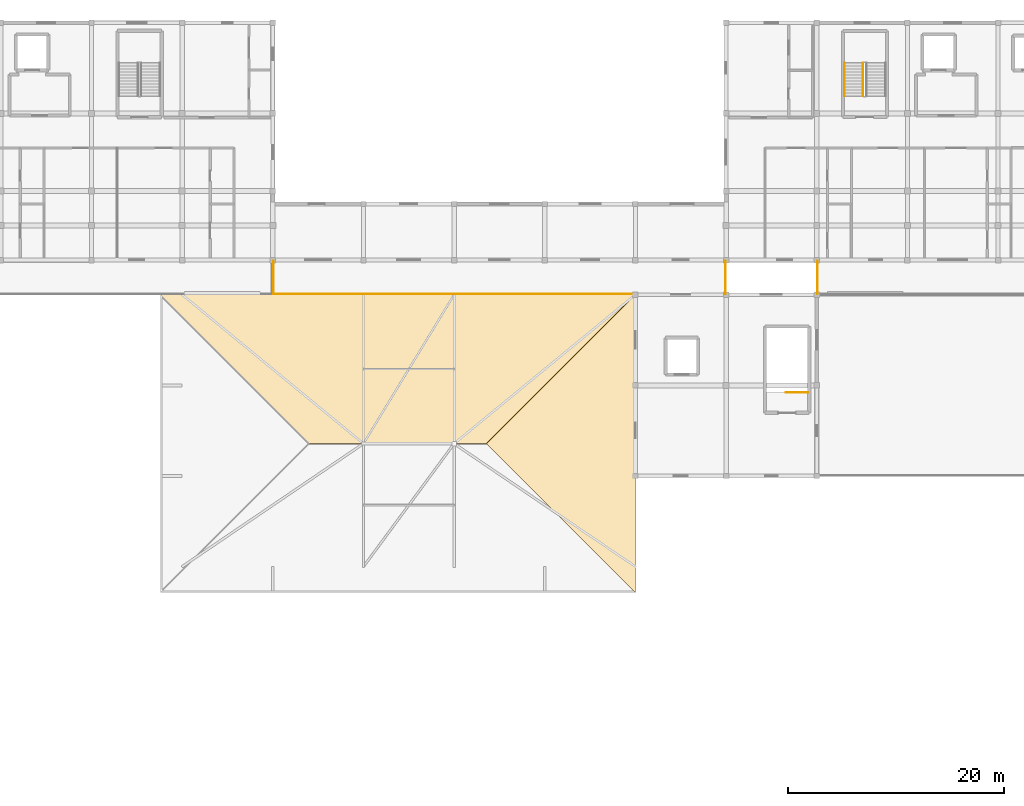
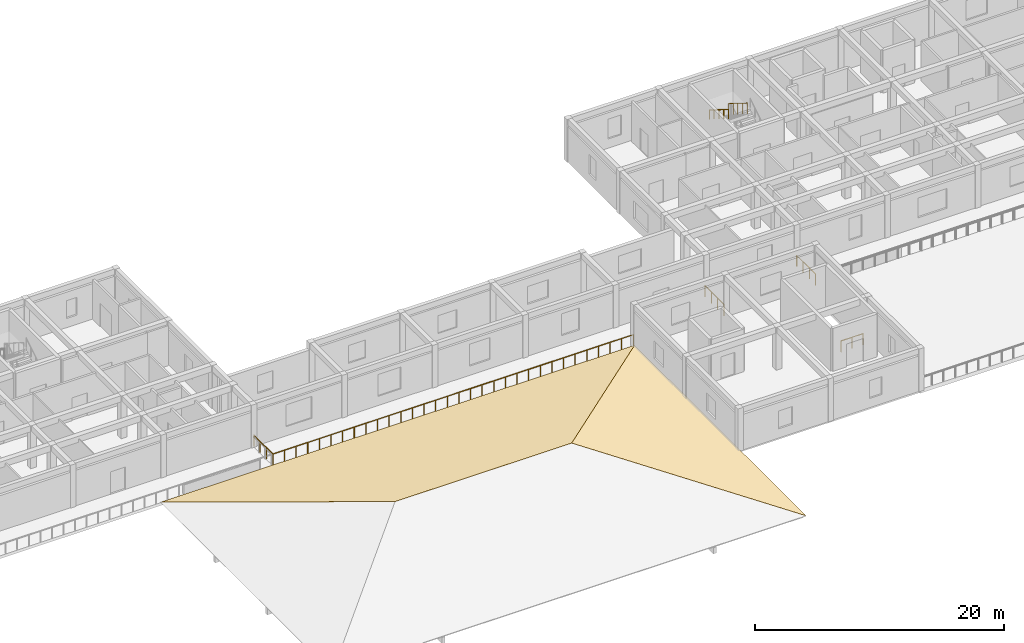
# One storey, part 25 of 28: 7 railings, 2 coverings, 1 element without a shape of its own.
"""IFC4 building model written with IfcOpenShell, lengths in metres."""

from ifc_helpers import new_model, si_unit, direction, frame, origin, origin_2d, place, context, subcontext, project, spatial, polyline, circle, outline, extrude, material, layer, layer_set, type_object, element, aggregate, save


model = new_model("IFC4")

# Units and contexts
model_context = context("Model", 3, precision=1e-05, world=origin(), true_north=direction((0.0, 1.0)))
body_context = subcontext(model_context, "Body", "Model", "MODEL_VIEW")
ifc_project = project(units=[si_unit("LENGTHUNIT", "METRE"), si_unit("AREAUNIT", "SQUARE_METRE"), si_unit("VOLUMEUNIT", "CUBIC_METRE"), si_unit("PLANEANGLEUNIT", "RADIAN"), si_unit("MASSUNIT", "GRAM", prefix="KILO")], contexts=[model_context])

# Site, building, storey
site_placement = place(None, origin())
site = spatial("IfcSite", under=ifc_project, at=site_placement, CompositionType="ELEMENT")
building_placement = place(site_placement, origin())
building = spatial("IfcBuilding", under=site, at=building_placement, Name="Varncliffe General Hospital", CompositionType="ELEMENT")
storey_placement = place(building_placement, frame((0.0, 0.0, 24.60009765625)))
storey = spatial("IfcBuildingStorey", under=building, at=storey_placement, Name="L05", CompositionType="ELEMENT", Elevation=24.60009765625)

# Railings
ifc_material_1 = material(Name="Powder-coated wrought-iron and bronze balustrade", Category="steel")
railing_type_1 = type_object("IfcRailingType", Name="Spanish Colonial Wrought-Iron Terrace Balustrade BL44", PredefinedType="BALUSTRADE", material=ifc_material_1)
railing_1_placement = place(storey_placement, frame((67.260009765625, 99.659912109375, 0.0)))
element("IfcRailing", 1, at=railing_1_placement, inside=storey, type_object=railing_type_1, Name="L05 Central Step-1 Healing Roof Terrace Balustrade 2", PredefinedType="BALUSTRADE", context=body_context, shape_type="SweptSolid", body=[
    extrude(circle(Radius=0.02392578125, at=origin_2d()), frame((0.0, 0.0, 1.076171875), z_axis=(1.0, 0.0, 0.0), x_axis=(0.0, 1.0, 0.0)), (0.0, 0.0, 1.0), 33.4599609375),
    extrude(circle(Radius=0.02099609375, at=origin_2d()), origin(), (0.0, 0.0, 1.0), 1.052001953125),
    extrude(circle(Radius=0.02099609375, at=origin_2d()), frame((1.079345703125, 0.0, 0.0)), (0.0, 0.0, 1.0), 1.052001953125),
    extrude(circle(Radius=0.02099609375, at=origin_2d()), frame((2.15869140625, 0.0, 0.0)), (0.0, 0.0, 1.0), 1.052001953125),
    extrude(circle(Radius=0.02099609375, at=origin_2d()), frame((3.238037109375, 0.0, 0.0)), (0.0, 0.0, 1.0), 1.052001953125),
    extrude(circle(Radius=0.02099609375, at=origin_2d()), frame((4.3173828125, 0.0, 0.0)), (0.0, 0.0, 1.0), 1.052001953125),
    extrude(circle(Radius=0.02099609375, at=origin_2d()), frame((5.396728515625, 0.0, 0.0)), (0.0, 0.0, 1.0), 1.052001953125),
    extrude(circle(Radius=0.02099609375, at=origin_2d()), frame((6.47607421875, 0.0, 0.0)), (0.0, 0.0, 1.0), 1.052001953125),
    extrude(circle(Radius=0.02099609375, at=origin_2d()), frame((7.555419921875, 0.0, 0.0)), (0.0, 0.0, 1.0), 1.052001953125),
    extrude(circle(Radius=0.02099609375, at=origin_2d()), frame((8.634765625, 0.0, 0.0)), (0.0, 0.0, 1.0), 1.052001953125),
    extrude(circle(Radius=0.02099609375, at=origin_2d()), frame((9.714111328125, 0.0, 0.0)), (0.0, 0.0, 1.0), 1.052001953125),
    extrude(circle(Radius=0.02099609375, at=origin_2d()), frame((10.79345703125, 0.0, 0.0)), (0.0, 0.0, 1.0), 1.052001953125),
    extrude(circle(Radius=0.02099609375, at=origin_2d()), frame((11.872802734375, 0.0, 0.0)), (0.0, 0.0, 1.0), 1.052001953125),
    extrude(circle(Radius=0.02099609375, at=origin_2d()), frame((12.9521484375, 0.0, 0.0)), (0.0, 0.0, 1.0), 1.052001953125),
    extrude(circle(Radius=0.02099609375, at=origin_2d()), frame((14.031494140625, 0.0, 0.0)), (0.0, 0.0, 1.0), 1.052001953125),
    extrude(circle(Radius=0.02099609375, at=origin_2d()), frame((15.11083984375, 0.0, 0.0)), (0.0, 0.0, 1.0), 1.052001953125),
    extrude(circle(Radius=0.02099609375, at=origin_2d()), frame((16.190185546875, 0.0, 0.0)), (0.0, 0.0, 1.0), 1.052001953125),
    extrude(circle(Radius=0.02099609375, at=origin_2d()), frame((17.269775390625, 0.0, 0.0)), (0.0, 0.0, 1.0), 1.052001953125),
    extrude(circle(Radius=0.02099609375, at=origin_2d()), frame((18.34912109375, 0.0, 0.0)), (0.0, 0.0, 1.0), 1.052001953125),
    extrude(circle(Radius=0.02099609375, at=origin_2d()), frame((19.428466796875, 0.0, 0.0)), (0.0, 0.0, 1.0), 1.052001953125),
    extrude(circle(Radius=0.02099609375, at=origin_2d()), frame((20.5078125, 0.0, 0.0)), (0.0, 0.0, 1.0), 1.052001953125),
    extrude(circle(Radius=0.02099609375, at=origin_2d()), frame((21.587158203125, 0.0, 0.0)), (0.0, 0.0, 1.0), 1.052001953125),
    extrude(circle(Radius=0.02099609375, at=origin_2d()), frame((22.66650390625, 0.0, 0.0)), (0.0, 0.0, 1.0), 1.052001953125),
    extrude(circle(Radius=0.02099609375, at=origin_2d()), frame((23.745849609375, 0.0, 0.0)), (0.0, 0.0, 1.0), 1.052001953125),
    extrude(circle(Radius=0.02099609375, at=origin_2d()), frame((24.8251953125, 0.0, 0.0)), (0.0, 0.0, 1.0), 1.052001953125),
    extrude(circle(Radius=0.02099609375, at=origin_2d()), frame((25.904541015625, 0.0, 0.0)), (0.0, 0.0, 1.0), 1.052001953125),
    extrude(circle(Radius=0.02099609375, at=origin_2d()), frame((26.98388671875, 0.0, 0.0)), (0.0, 0.0, 1.0), 1.052001953125),
    extrude(circle(Radius=0.02099609375, at=origin_2d()), frame((28.063232421875, 0.0, 0.0)), (0.0, 0.0, 1.0), 1.052001953125),
    extrude(circle(Radius=0.02099609375, at=origin_2d()), frame((29.142578125, 0.0, 0.0)), (0.0, 0.0, 1.0), 1.052001953125),
    extrude(circle(Radius=0.02099609375, at=origin_2d()), frame((30.221923828125, 0.0, 0.0)), (0.0, 0.0, 1.0), 1.052001953125),
    extrude(circle(Radius=0.02099609375, at=origin_2d()), frame((31.30126953125, 0.0, 0.0)), (0.0, 0.0, 1.0), 1.052001953125),
    extrude(circle(Radius=0.02099609375, at=origin_2d()), frame((32.380615234375, 0.0, 0.0)), (0.0, 0.0, 1.0), 1.052001953125),
    extrude(circle(Radius=0.02099609375, at=origin_2d()), frame((33.4599609375, 0.0, 0.0)), (0.0, 0.0, 1.0), 1.052001953125),
])
railing_2_placement = place(storey_placement, frame((109.139892578125, 99.679931640625, 0.0)))
element("IfcRailing", 2, at=railing_2_placement, inside=storey, type_object=railing_type_1, Name="L05 Central Step-1 Healing Roof Terrace Balustrade 3", PredefinedType="BALUSTRADE", context=body_context, shape_type="SweptSolid", body=[
    extrude(circle(Radius=0.02392578125, at=origin_2d()), frame((0.0, 0.0, 1.076171875), z_axis=(0.0, 1.0, 0.0), x_axis=(-1.0, 0.0, 0.0)), (0.0, 0.0, 1.0), 3.0400390625),
    extrude(circle(Radius=0.02099609375, at=origin_2d()), origin(), (0.0, 0.0, 1.0), 1.052001953125),
    extrude(circle(Radius=0.02099609375, at=origin_2d()), frame((0.0, 1.013427734375, 0.0)), (0.0, 0.0, 1.0), 1.052001953125),
    extrude(circle(Radius=0.02099609375, at=origin_2d()), frame((0.0, 2.026611328125, 0.0)), (0.0, 0.0, 1.0), 1.052001953125),
    extrude(circle(Radius=0.02099609375, at=origin_2d()), frame((0.0, 3.0400390625, 0.0)), (0.0, 0.0, 1.0), 1.052001953125),
])
railing_3_placement = place(storey_placement, frame((67.260009765625, 102.719970703125, 0.0)))
element("IfcRailing", 3, at=railing_3_placement, inside=storey, type_object=railing_type_1, Name="L05 Central Step-1 Healing Roof Terrace Balustrade 4", PredefinedType="BALUSTRADE", context=body_context, shape_type="SweptSolid", body=[
    extrude(circle(Radius=0.02392578125, at=origin_2d()), frame((0.0, 0.0, 1.076171875), z_axis=(0.0, -1.0, 0.0), x_axis=(1.0, 0.0, 0.0)), (0.0, 0.0, 1.0), 3.06005859375),
    extrude(circle(Radius=0.02099609375, at=origin_2d()), origin(), (0.0, 0.0, 1.0), 1.052001953125),
    extrude(circle(Radius=0.02099609375, at=origin_2d()), frame((0.0, -1.02001953125, 0.0)), (0.0, 0.0, 1.0), 1.052001953125),
    extrude(circle(Radius=0.02099609375, at=origin_2d()), frame((0.0, -2.0400390625, 0.0)), (0.0, 0.0, 1.0), 1.052001953125),
    extrude(circle(Radius=0.02099609375, at=origin_2d()), frame((0.0, -3.06005859375, 0.0)), (0.0, 0.0, 1.0), 1.052001953125),
])
railing_4_placement = place(storey_placement, frame((117.659912109375, 102.719970703125, 0.0)))
element("IfcRailing", 4, at=railing_4_placement, inside=storey, type_object=railing_type_1, Name="L05 East Step-1 Healing Roof Terrace Balustrade 6", PredefinedType="BALUSTRADE", context=body_context, shape_type="SweptSolid", body=[
    extrude(circle(Radius=0.02392578125, at=origin_2d()), frame((0.0, 0.0, 1.076171875), z_axis=(0.0, -1.0, 0.0), x_axis=(1.0, 0.0, 0.0)), (0.0, 0.0, 1.0), 3.0400390625),
    extrude(circle(Radius=0.02099609375, at=origin_2d()), origin(), (0.0, 0.0, 1.0), 1.052001953125),
    extrude(circle(Radius=0.02099609375, at=origin_2d()), frame((0.0, -1.013427734375, 0.0)), (0.0, 0.0, 1.0), 1.052001953125),
    extrude(circle(Radius=0.02099609375, at=origin_2d()), frame((0.0, -2.026611328125, 0.0)), (0.0, 0.0, 1.0), 1.052001953125),
    extrude(circle(Radius=0.02099609375, at=origin_2d()), frame((0.0, -3.0400390625, 0.0)), (0.0, 0.0, 1.0), 1.052001953125),
])
ifc_material_2 = material(Name="Powder-coated hospital steel guardrail and handrail", Category="steel")
railing_type_2 = type_object("IfcRailingType", Name="Stair and Ramp Handrail HR46", PredefinedType="HANDRAIL", material=ifc_material_2)
railing_5_placement = place(storey_placement, frame((120.14990234375, 121.080078125, 2.453857421875)))
element("IfcRailing", 5, at=railing_5_placement, inside=storey, type_object=railing_type_2, Name="L05 ST03 stair handrail 2", PredefinedType="HANDRAIL", context=body_context, shape_type="SweptSolid", body=[
    extrude(circle(Radius=0.02392578125, at=origin_2d()), frame((0.0, 0.0, 0.8759765625), z_axis=(0.0, -0.847998304005, 0.529998940003), x_axis=(1.0, 0.0, 0.0)), (0.0, 0.0, 1.0), 3.632080078125),
    extrude(circle(Radius=0.02099609375, at=origin_2d()), origin(), (0.0, 0.0, 1.0), 0.851806640625),
    extrude(circle(Radius=0.02099609375, at=origin_2d()), frame((0.0, -0.77001953125, 0.481201171875)), (0.0, 0.0, 1.0), 0.851806640625),
    extrude(circle(Radius=0.02099609375, at=origin_2d()), frame((0.0, -1.5400390625, 0.96240234375)), (0.0, 0.0, 1.0), 0.851806640625),
    extrude(circle(Radius=0.02099609375, at=origin_2d()), frame((0.0, -2.31005859375, 1.44384765625)), (0.0, 0.0, 1.0), 0.851806640625),
    extrude(circle(Radius=0.02099609375, at=origin_2d()), frame((0.0, -3.080078125, 1.925048828125)), (0.0, 0.0, 1.0), 0.851806640625),
])
railing_type_3 = type_object("IfcRailingType", Name="Stairwell Guardrail SG49", PredefinedType="GUARDRAIL", material=ifc_material_2)
railing_6_placement = place(storey_placement, frame((121.89990234375, 121.080078125, 2.27490234375)))
element("IfcRailing", 6, at=railing_6_placement, inside=storey, type_object=railing_type_3, Name="L05 ST03 stair guard 3", PredefinedType="GUARDRAIL", context=body_context, shape_type="SweptSolid", body=[
    extrude(circle(Radius=0.02392578125, at=origin_2d()), frame((0.0, 0.0, 1.076171875), z_axis=(0.0, -0.847998304005, 0.529998940003), x_axis=(1.0, 0.0, 0.0)), (0.0, 0.0, 1.0), 3.632080078125),
    extrude(circle(Radius=0.02099609375, at=origin_2d()), origin(), (0.0, 0.0, 1.0), 1.052001953125),
    extrude(circle(Radius=0.02099609375, at=origin_2d()), frame((0.0, -0.77001953125, 0.481201171875)), (0.0, 0.0, 1.0), 1.052001953125),
    extrude(circle(Radius=0.02099609375, at=origin_2d()), frame((0.0, -1.5400390625, 0.96240234375)), (0.0, 0.0, 1.0), 1.052001953125),
    extrude(circle(Radius=0.02099609375, at=origin_2d()), frame((0.0, -2.31005859375, 1.44384765625)), (0.0, 0.0, 1.0), 1.052001953125),
    extrude(circle(Radius=0.02099609375, at=origin_2d()), frame((0.0, -3.080078125, 1.925048828125)), (0.0, 0.0, 1.0), 1.052001953125),
])
railing_7_placement = place(storey_placement, frame((116.800048828125, 90.550048828125, 0.0)))
element("IfcRailing", 7, at=railing_7_placement, inside=storey, type_object=railing_type_3, Name="L05 ST06 top well guard 1", PredefinedType="GUARDRAIL", context=body_context, shape_type="SweptSolid", body=[
    extrude(circle(Radius=0.02392578125, at=origin_2d()), frame((0.0, 0.0, 1.076171875), z_axis=(-1.0, 0.0, 0.0), x_axis=(0.0, -1.0, 0.0)), (0.0, 0.0, 1.0), 2.050048828125),
    extrude(circle(Radius=0.02099609375, at=origin_2d()), origin(), (0.0, 0.0, 1.0), 1.052001953125),
    extrude(circle(Radius=0.02099609375, at=origin_2d()), frame((-1.02490234375, 0.0, 0.0)), (0.0, 0.0, 1.0), 1.052001953125),
    extrude(circle(Radius=0.02099609375, at=origin_2d()), frame((-2.050048828125, 0.0, 0.0)), (0.0, 0.0, 1.0), 1.052001953125),
])

# Roof, coverings
ifc_material_3 = material(Name="Terracotta clay roof tile over waterproof membrane", Category="masonry")
roof_type = type_object("IfcRoofType", Name="Hipped Clay-Tile Roof Assembly HR20", PredefinedType="HIP_ROOF", material=ifc_material_3)
roof_placement = place(storey_placement, origin())
roof = element("IfcRoof", 8, at=roof_placement, inside=storey, type_object=roof_type, Name="L05 Hipped Roof RF-V4-OR", PredefinedType="HIP_ROOF")
ifc_layer = layer(ifc_material_3, 0.044921875)
ifc_layer_set = layer_set([ifc_layer], Name="Terracotta clay roof tile over waterproof membrane")
covering_type = type_object("IfcCoveringType", Name="Terracotta Clay Tile Roofing RFG24", PredefinedType="ROOFING", material=ifc_layer_set)
covering_1_placement = place(storey_placement, frame((100.800048828125, 99.60009765625, 0.044921875), z_axis=(0.0, 0.252427471975, 0.967615818077), x_axis=(-1.0, 0.0, 0.0)))
covering_1 = element("IfcCovering", 9, at=covering_1_placement, type_object=covering_type, Name="L05 RF-V4-OR Terracotta Clay Tile Slope N", PredefinedType="ROOFING", context=body_context, shape_type="SweptSolid", body=[
    extrude(outline(polyline([(0.0, 0.0), (44.0, 0.0), (30.199951171875, 14.26190908655538), (13.800048828125, 14.26190908655538), (0.0, 0.0)])), origin(), (0.0, 0.0, -1.0), 0.044921875),
])
covering_2_placement = place(storey_placement, frame((100.800048828125, 72.0, 0.044921875), z_axis=(0.252427471975, 0.0, 0.967615818077), x_axis=(0.0, 1.0, 0.0)))
covering_2 = element("IfcCovering", 10, at=covering_2_placement, type_object=covering_type, Name="L05 RF-V4-OR Terracotta Clay Tile Slope E", PredefinedType="ROOFING", context=body_context, shape_type="SweptSolid", body=[
    extrude(outline(polyline([(0.0, 0.0), (27.60009765625, 0.0), (13.800048828125, 14.26190908655538), (0.0, 0.0)])), origin(), (0.0, 0.0, -1.0), 0.044921875),
])
aggregate(roof, [covering_1, covering_2])

save(model, "model.ifc")
